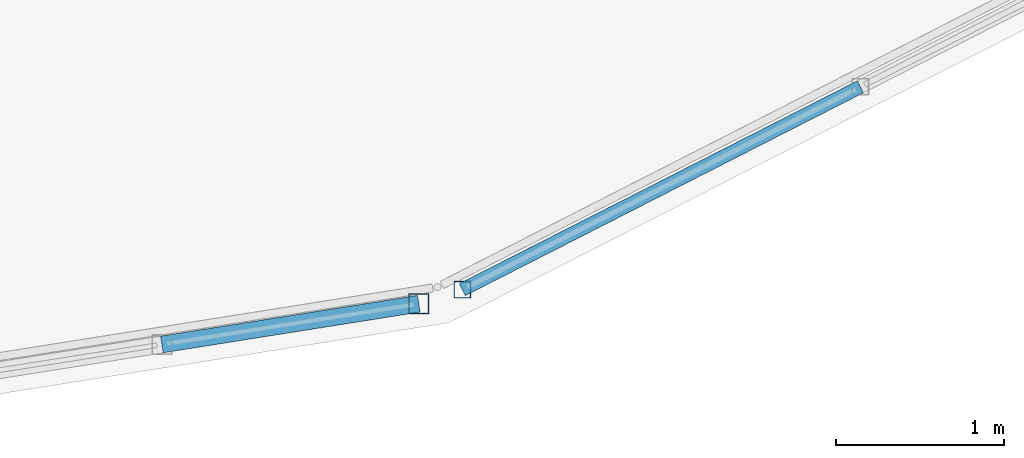
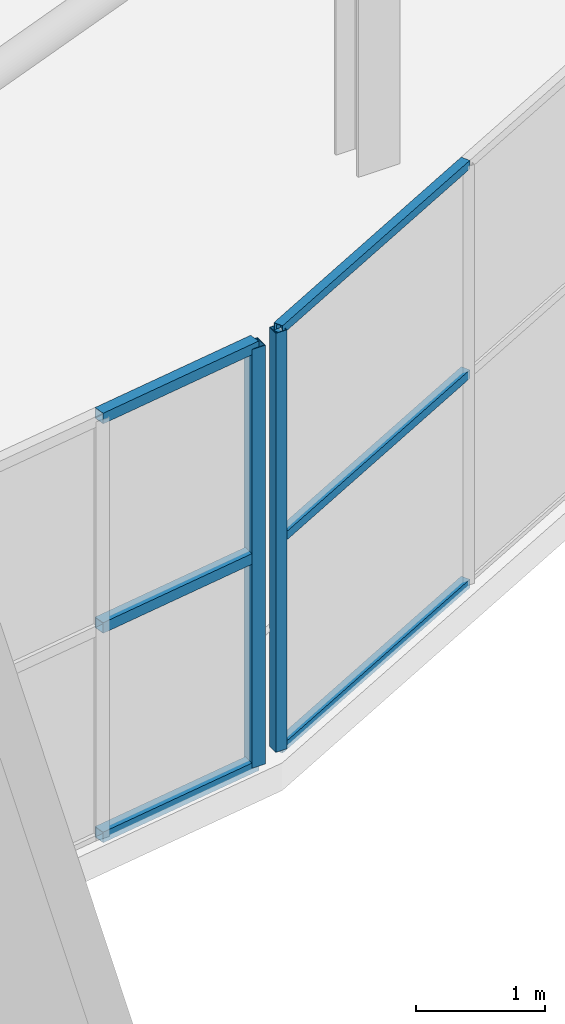
# One storey, part 140 of 217: 8 members, 2 elements without a shape of their own.
"""IFC4 building model written with IfcOpenShell, lengths in metres."""

from ifc_helpers import new_model, si_unit, direction, frame, origin, origin_2d, place, context, subcontext, project, spatial, hollow_rectangle, extrude, material, material_profile, profile_set, type_object, element, aggregate, save


model = new_model("IFC4")

# Units and contexts
model_context = context("Model", 3, precision=1e-05, world=origin(), true_north=direction((0.0, 1.0)))
body_context = subcontext(model_context, "Body", "Model", "MODEL_VIEW")
ifc_project = project(units=[si_unit("LENGTHUNIT", "METRE"), si_unit("AREAUNIT", "SQUARE_METRE"), si_unit("VOLUMEUNIT", "CUBIC_METRE"), si_unit("PLANEANGLEUNIT", "RADIAN"), si_unit("MASSUNIT", "GRAM", prefix="KILO")], contexts=[model_context])

# Site, building, storey
site_placement = place(None, origin())
site = spatial("IfcSite", under=ifc_project, at=site_placement, CompositionType="ELEMENT")
building_placement = place(site_placement, origin())
building = spatial("IfcBuilding", under=site, at=building_placement, Name="Zuvorla Pavilion Media Centre", CompositionType="ELEMENT")
storey_placement = place(building_placement, frame((0.0, 0.0, 9.60009765625)))
storey = spatial("IfcBuildingStorey", under=building, at=storey_placement, Name="L02", CompositionType="ELEMENT", Elevation=9.60009765625)

# Curtain wall, member
ifc_material_1 = material(Name="Unitised anodised aluminium and solar glass curtain wall", Category="aluminium")
curtain_wall_type_1 = type_object("IfcCurtainWallType", Name="CW-SYS-02", PredefinedType="USERDEFINED", material=ifc_material_1)
curtain_wall_1_placement = place(storey_placement, origin())
curtain_wall_1 = element("IfcCurtainWall", 1, at=curtain_wall_1_placement, inside=storey, type_object=curtain_wall_type_1, Name="L02 curtain wall CW02 2", ObjectType="CURTAIN WALL", PredefinedType="USERDEFINED")
ifc_material_2 = material(Name="Anodised aluminium 6063-T6", Category="aluminium")
ifc_material_profile_1 = material_profile(ifc_material_2, hollow_rectangle(XDim=0.10009765625, YDim=0.10009765625, WallThickness=0.00439453125, at=origin_2d()), Name="ALU MULL 100x100")
ifc_profile_set_1 = profile_set([ifc_material_profile_1], Name="Anodised aluminium 6063-T6")
member_type_1 = type_object("IfcMemberType", Name="CW-MULL-100", PredefinedType="MULLION", material=ifc_profile_set_1)
member_1_placement = place(storey_placement, frame((163.041259765625, 45.078369140625, 0.0), z_axis=(0.0, 0.0, 1.0), x_axis=(1.0, 0.0, 0.0)))
member_1 = element("IfcMember", 2, at=member_1_placement, type_object=member_type_1, Name="CW02 mullion 1", PredefinedType="MULLION", context=body_context, shape_type="SweptSolid", body=[
    extrude(hollow_rectangle(XDim=0.10009765625, YDim=0.10009765625, WallThickness=0.00439453125, at=origin_2d()), origin(), (0.0, 0.0, 1.0), 3.949951171875),
])

# Curtain wall, members
curtain_wall_type_2 = type_object("IfcCurtainWallType", Name="CW-SYS-01", PredefinedType="USERDEFINED", material=ifc_material_1)
curtain_wall_2_placement = place(storey_placement, origin())
curtain_wall_2 = element("IfcCurtainWall", 3, at=curtain_wall_2_placement, inside=storey, type_object=curtain_wall_type_2, Name="L02 curtain wall CW01 1", ObjectType="CURTAIN WALL", PredefinedType="USERDEFINED")
ifc_material_profile_2 = material_profile(ifc_material_2, hollow_rectangle(XDim=0.1201171875, YDim=0.1201171875, WallThickness=0.0048828125, at=origin_2d()), Name="ALU MULL 120x120")
ifc_profile_set_2 = profile_set([ifc_material_profile_2], Name="Anodised aluminium 6063-T6")
member_type_2 = type_object("IfcMemberType", Name="CW-MULL-120", PredefinedType="MULLION", material=ifc_profile_set_2)
member_2_placement = place(storey_placement, frame((162.782470703125, 44.994140625, 0.0), z_axis=(0.0, 0.0, 1.0), x_axis=(1.0, 0.0, 0.0)))
member_2 = element("IfcMember", 4, at=member_2_placement, type_object=member_type_2, Name="CW01 mullion 3", PredefinedType="MULLION", context=body_context, shape_type="SweptSolid", body=[
    extrude(hollow_rectangle(XDim=0.1201171875, YDim=0.1201171875, WallThickness=0.0048828125, at=origin_2d()), origin(), (0.0, 0.0, 1.0), 3.949951171875),
])
ifc_material_profile_3 = material_profile(ifc_material_2, hollow_rectangle(XDim=0.10009765625, YDim=0.10009765625, WallThickness=0.00439453125, at=origin_2d()), Name="ALU TRAN 100x100")
ifc_profile_set_3 = profile_set([ifc_material_profile_3], Name="Anodised aluminium 6063-T6")
member_type_3 = type_object("IfcMemberType", Name="CW-TRAN-100", PredefinedType="USERDEFINED", material=ifc_profile_set_3)
member_3_placement = place(storey_placement, frame((161.254638671875, 44.752197265625, 0.0), z_axis=(0.987692481644, 0.156408317243, 0.0), x_axis=(-0.156408317243, 0.987692481644, 0.0)))
member_3 = element("IfcMember", 5, at=member_3_placement, type_object=member_type_3, Name="CW01 transom 2.1", ObjectType="TRANSOM", PredefinedType="USERDEFINED", context=body_context, shape_type="SweptSolid", body=[
    extrude(hollow_rectangle(XDim=0.10009765625, YDim=0.10009765625, WallThickness=0.00439453125, at=origin_2d()), origin(), (0.0, 0.0, 1.0), 1.546875),
])
member_4_placement = place(storey_placement, frame((161.254638671875, 44.752197265625, 1.974853515625), z_axis=(0.987692481644, 0.156408317243, 0.0), x_axis=(-0.156408317243, 0.987692481644, 0.0)))
member_4 = element("IfcMember", 6, at=member_4_placement, type_object=member_type_3, Name="CW01 transom 2.2", ObjectType="TRANSOM", PredefinedType="USERDEFINED", context=body_context, shape_type="SweptSolid", body=[
    extrude(hollow_rectangle(XDim=0.10009765625, YDim=0.10009765625, WallThickness=0.00439453125, at=origin_2d()), origin(), (0.0, 0.0, 1.0), 1.546875),
])
member_5_placement = place(storey_placement, frame((161.254638671875, 44.752197265625, 3.949951171875), z_axis=(0.987692481644, 0.156408317243, 0.0), x_axis=(-0.156408317243, 0.987692481644, 0.0)))
member_5 = element("IfcMember", 7, at=member_5_placement, type_object=member_type_3, Name="CW01 transom 2.3", ObjectType="TRANSOM", PredefinedType="USERDEFINED", context=body_context, shape_type="SweptSolid", body=[
    extrude(hollow_rectangle(XDim=0.10009765625, YDim=0.10009765625, WallThickness=0.00439453125, at=origin_2d()), origin(), (0.0, 0.0, 1.0), 1.546875),
])
aggregate(curtain_wall_2, [member_2, member_3, member_4, member_5])

# Member
ifc_material_profile_4 = material_profile(ifc_material_2, hollow_rectangle(XDim=0.080078125, YDim=0.080078125, WallThickness=0.00390625, at=origin_2d()), Name="ALU TRAN 80x80")
ifc_profile_set_4 = profile_set([ifc_material_profile_4], Name="Anodised aluminium 6063-T6")
member_type_4 = type_object("IfcMemberType", Name="CW-TRAN-80", PredefinedType="USERDEFINED", material=ifc_profile_set_4)
member_6_placement = place(storey_placement, frame((163.041259765625, 45.078369140625, 0.0), z_axis=(0.891000209717, 0.454002892375, 0.0), x_axis=(-0.454002892375, 0.891000209717, 0.0)))
member_6 = element("IfcMember", 8, at=member_6_placement, type_object=member_type_4, Name="CW02 transom 1.1", ObjectType="TRANSOM", PredefinedType="USERDEFINED", context=body_context, shape_type="SweptSolid", body=[
    extrude(hollow_rectangle(XDim=0.080078125, YDim=0.080078125, WallThickness=0.00390625, at=origin_2d()), origin(), (0.0, 0.0, 1.0), 2.656005859375),
])

member_7_placement = place(storey_placement, frame((163.041259765625, 45.078369140625, 1.974853515625), z_axis=(0.891000209717, 0.454002892375, 0.0), x_axis=(-0.454002892375, 0.891000209717, 0.0)))
member_7 = element("IfcMember", 9, at=member_7_placement, type_object=member_type_4, Name="CW02 transom 1.2", ObjectType="TRANSOM", PredefinedType="USERDEFINED", context=body_context, shape_type="SweptSolid", body=[
    extrude(hollow_rectangle(XDim=0.080078125, YDim=0.080078125, WallThickness=0.00390625, at=origin_2d()), origin(), (0.0, 0.0, 1.0), 2.656005859375),
])

member_8_placement = place(storey_placement, frame((163.041259765625, 45.078369140625, 3.949951171875), z_axis=(0.891000209717, 0.454002892375, 0.0), x_axis=(-0.454002892375, 0.891000209717, 0.0)))
member_8 = element("IfcMember", 10, at=member_8_placement, type_object=member_type_4, Name="CW02 transom 1.3", ObjectType="TRANSOM", PredefinedType="USERDEFINED", context=body_context, shape_type="SweptSolid", body=[
    extrude(hollow_rectangle(XDim=0.080078125, YDim=0.080078125, WallThickness=0.00390625, at=origin_2d()), origin(), (0.0, 0.0, 1.0), 2.656005859375),
])

aggregate(curtain_wall_1, [member_1, member_6, member_7, member_8])

save(model, "model.ifc")
